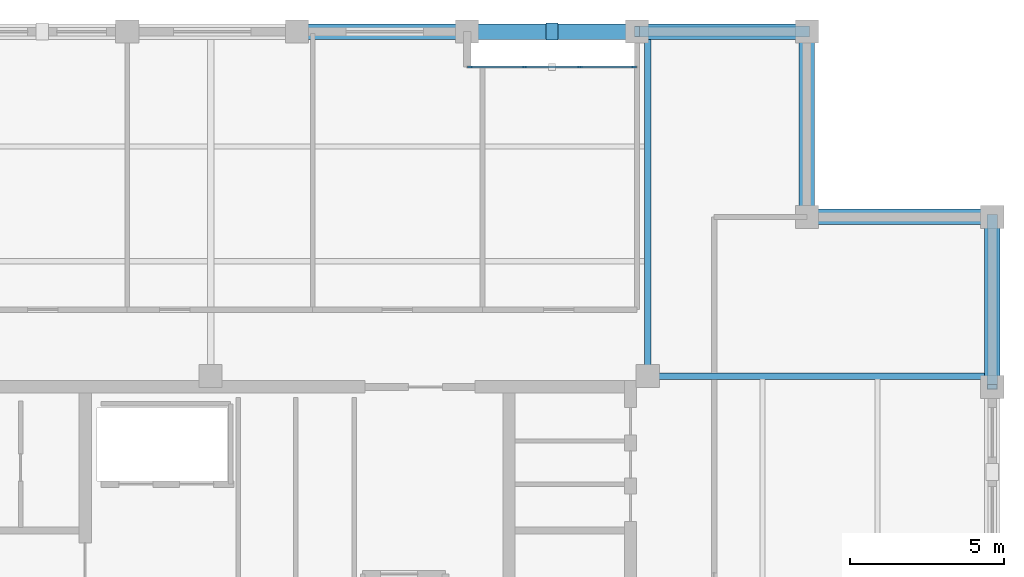
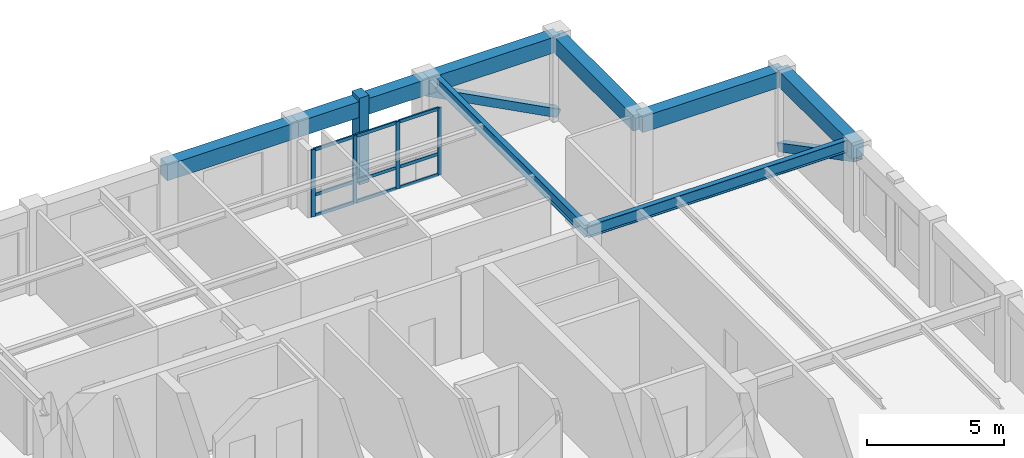
# One storey, part 2 of 10: 16 members, 8 beams, 1 element without a shape of its own.
"""IFC4 building model written with IfcOpenShell, lengths in metres."""

import ifcopenshell
import ifcopenshell.guid

model = None  # the IFC model being written
_history = None  # IfcOwnerHistory: only IFC2X3 demands one
_inside = {}  # id of a spatial element -> (the spatial element, [elements in it])
_under = {}  # id of a project, library or spatial element -> (it, [spatial elements below it])
_declared = {}  # id of a project -> (the project, [libraries it declares])
_typed = {}  # id of a type object -> (the type object, [elements of that type])
_made_of = {}  # id of a material, layer set ... -> (it, [elements and type objects made of it])


def new_model(schema):
    """Start an empty IFC model of exactly this schema.

    Asked for "IFC4X3", IfcOpenShell would pick the latest addendum, in which some entities
    have other attributes; the version numbers below select the first issue.
    IFC2X3 requires an IfcOwnerHistory on every rooted entity: one is made here for all.
    """
    global model, _history
    if schema == "IFC4X3":
        model = ifcopenshell.file(schema_version=(4, 3, 0, 0))
    else:
        model = ifcopenshell.file(schema=schema)
    _inside.clear()
    _under.clear()
    _declared.clear()
    _typed.clear()
    _made_of.clear()
    _history = None
    if model.schema == "IFC2X3":
        org = make("IfcOrganization", Name="unknown")
        user = make(
            "IfcPersonAndOrganization",
            ThePerson=make("IfcPerson", FamilyName="unknown"),
            TheOrganization=org,
        )
        app = make(
            "IfcApplication",
            ApplicationDeveloper=org,
            Version="unknown",
            ApplicationFullName="unknown",
            ApplicationIdentifier="unknown",
        )
        _history = make(
            "IfcOwnerHistory",
            OwningUser=user,
            OwningApplication=app,
            ChangeAction="ADDED",
            CreationDate=0,
        )
    return model


def make(cls, **values):
    """One entity of the class cls with the attributes given. An attribute that is None is left unset."""
    return model.create_entity(
        cls, **{name: value for name, value in values.items() if value is not None}
    )


def rooted(cls, **values):
    """An entity with a GlobalId (a new one), such as an element, a storey or a relation."""
    return make(cls, GlobalId=ifcopenshell.guid.new(), OwnerHistory=_history, **values)


def si_unit(unit_type, name, prefix=None):
    """IfcSIUnit, for example si_unit("LENGTHUNIT", "METRE", prefix="MILLI")."""
    return make("IfcSIUnit", UnitType=unit_type, Prefix=prefix, Name=name)


def assignment(units):
    """IfcUnitAssignment: the units of a project."""
    return None if units is None else make("IfcUnitAssignment", Units=units)


def point(xyz):
    """IfcCartesianPoint."""
    return None if xyz is None else make("IfcCartesianPoint", Coordinates=xyz)


def direction(xyz):
    """IfcDirection."""
    return None if xyz is None else make("IfcDirection", DirectionRatios=xyz)


def frame(location, z_axis=None, x_axis=None):
    """IfcAxis2Placement3D, a coordinate frame: its origin and axes. An axis left out is left unset."""
    return make(
        "IfcAxis2Placement3D",
        Location=point(location),
        Axis=direction(z_axis),
        RefDirection=direction(x_axis),
    )


def frame_2d(location, x_axis=None):
    """IfcAxis2Placement2D, a coordinate frame in the plane: its origin and x axis."""
    return make(
        "IfcAxis2Placement2D", Location=point(location), RefDirection=direction(x_axis)
    )


def origin():
    """The frame at (0, 0, 0) with its axes left unset."""
    return frame((0.0, 0.0, 0.0))


def origin_2d():
    """The frame at (0, 0) in the plane with its x axis left unset."""
    return frame_2d((0.0, 0.0))


def place(relative_to, where):
    """IfcLocalPlacement: puts the frame where relative to a parent placement (None: the world)."""
    return make(
        "IfcLocalPlacement", PlacementRelTo=relative_to, RelativePlacement=where
    )


def context(
    kind, dimensions, precision=None, world=None, true_north=None, identifier=None
):
    """IfcGeometricRepresentationContext, for example the 3D "Model" context."""
    return make(
        "IfcGeometricRepresentationContext",
        ContextIdentifier=identifier,
        ContextType=kind,
        CoordinateSpaceDimension=dimensions,
        Precision=precision,
        WorldCoordinateSystem=world,
        TrueNorth=true_north,
    )


def subcontext(parent, identifier, kind, view, scale=None):
    """IfcGeometricRepresentationSubContext, for example "Body" below "Model"."""
    return make(
        "IfcGeometricRepresentationSubContext",
        ContextIdentifier=identifier,
        ContextType=kind,
        ParentContext=parent,
        TargetScale=scale,
        TargetView=view,
    )


def project(units=None, contexts=None):
    """IfcProject with its units and contexts."""
    return rooted(
        "IfcProject",
        Name="project",
        RepresentationContexts=contexts,
        UnitsInContext=assignment(units),
    )


def spatial(cls, under=None, at=None, **own):
    """A site, building, storey or space (cls), placed at a placement, below another one or the project."""
    s = rooted(cls, ObjectPlacement=at, **own)
    if under is not None:
        _under.setdefault(under.id(), (under, []))[1].append(s)
    return s


def profile(cls, at=None, kind="AREA", **sizes):
    """A parametric profile (cls). Its sizes go by their IFC names, for example OverallWidth=200.0."""
    return make(cls, ProfileType=kind, Position=at, **sizes)


def rectangle(**sizes):
    """IfcRectangleProfileDef."""
    return profile("IfcRectangleProfileDef", **sizes)


def hollow_rectangle(**sizes):
    """IfcRectangleHollowProfileDef."""
    return profile("IfcRectangleHollowProfileDef", **sizes)


def i_section(**sizes):
    """IfcIShapeProfileDef."""
    return profile("IfcIShapeProfileDef", **sizes)


def extrude(swept, where, along, depth):
    """IfcExtrudedAreaSolid: the profile swept, set in the frame where, extruded along a direction by depth."""
    return make(
        "IfcExtrudedAreaSolid",
        SweptArea=swept,
        Position=where,
        ExtrudedDirection=direction(along),
        Depth=depth,
    )


def shape(context_of_items, identifier, shape_type, items):
    """IfcShapeRepresentation: the items that make up one representation, for example the "Body"."""
    return make(
        "IfcShapeRepresentation",
        ContextOfItems=context_of_items,
        RepresentationIdentifier=identifier,
        RepresentationType=shape_type,
        Items=items,
    )


def material(Name=None, Category=None):
    """IfcMaterial."""
    return make("IfcMaterial", Name=Name, Category=Category)


def layer(
    of_material, thickness, ventilated=None, Name=None, Category=None, Priority=None
):
    """IfcMaterialLayer: one layer of a wall or slab, of a material (None: an air gap)."""
    return make(
        "IfcMaterialLayer",
        Material=of_material,
        LayerThickness=thickness,
        IsVentilated=ventilated,
        Name=Name,
        Category=Category,
        Priority=Priority,
    )


def layer_set(layers, Name=None):
    """IfcMaterialLayerSet."""
    return make("IfcMaterialLayerSet", MaterialLayers=layers, LayerSetName=Name)


def material_profile(
    of_material, cross_section, Name=None, Category=None, Priority=None
):
    """IfcMaterialProfile: a cross section and its material."""
    return make(
        "IfcMaterialProfile",
        Name=Name,
        Material=of_material,
        Profile=cross_section,
        Priority=Priority,
        Category=Category,
    )


def profile_set(profiles, Name=None, composite=None):
    """IfcMaterialProfileSet."""
    return make(
        "IfcMaterialProfileSet",
        Name=Name,
        MaterialProfiles=profiles,
        CompositeProfile=composite,
    )


def made_of(thing, what):
    """Note that an element or type object is made of a material, layer set ...; save() writes the relation."""
    if what is not None:
        _made_of.setdefault(what.id(), (what, []))[1].append(thing)
    return thing


def type_object(cls, material=None, **own):
    """A type object (cls), such as IfcWallType, which elements share."""
    return made_of(rooted(cls, **own), material)


def element(
    cls,
    number,
    at=None,
    inside=None,
    cuts=None,
    type_object=None,
    material=None,
    context=None,
    identifier="Body",
    shape_type=None,
    held_by="IfcProductDefinitionShape",
    body=None,
    shapes=None,
    **own,
):
    """One element of the class cls, such as IfcWall. Its Tag is "e" and its number.

    at: its placement. inside: the storey or other place that contains it. cuts: it is an
    opening in that element (IfcRelVoidsElement). A single representation is given by context,
    identifier, shape_type and body (its items); several are given by shapes. held_by: the class
    of the entity that holds the representations. save() writes the other relations.
    """
    e = rooted(cls, Tag="e%d" % number, ObjectPlacement=at, **own)
    if body is not None:
        shapes = [shape(context, identifier, shape_type, body)]
    if shapes is not None:
        e.Representation = make(held_by, Representations=shapes)
    if inside is not None:
        _inside.setdefault(inside.id(), (inside, []))[1].append(e)
    if cuts is not None:
        rooted(
            "IfcRelVoidsElement", RelatingBuildingElement=cuts, RelatedOpeningElement=e
        )
    if type_object is not None:
        _typed.setdefault(type_object.id(), (type_object, []))[1].append(e)
    return made_of(e, material)


def aggregate(whole, parts):
    """IfcRelAggregates: a whole, such as a stair, and the parts it consists of."""
    return rooted("IfcRelAggregates", RelatingObject=whole, RelatedObjects=parts)


def save(model, path):
    """Write the relations noted so far, then the file.

    IfcRelAggregates (storeys below a building ...), IfcRelContainedInSpatialStructure (elements
    in a storey), IfcRelDefinesByType, IfcRelAssociatesMaterial and IfcRelDeclares: one each for
    every whole, place, type object, material and project.
    """
    for whole, parts in _under.values():
        aggregate(whole, parts)
    for where, things in _inside.values():
        rooted(
            "IfcRelContainedInSpatialStructure",
            RelatedElements=things,
            RelatingStructure=where,
        )
    for kind, things in _typed.values():
        rooted("IfcRelDefinesByType", RelatedObjects=things, RelatingType=kind)
    for what, things in _made_of.values():
        rooted("IfcRelAssociatesMaterial", RelatedObjects=things, RelatingMaterial=what)
    for by, libraries in _declared.values():
        rooted("IfcRelDeclares", RelatingContext=by, RelatedDefinitions=libraries)
    model.write(path)


model = new_model("IFC4")

# Units and contexts
model_context = context("Model", 3, precision=1e-05, world=origin(), true_north=direction((0.0, 1.0)))
body_context = subcontext(model_context, "Body", "Model", "MODEL_VIEW")
ifc_project = project(units=[si_unit("LENGTHUNIT", "METRE"), si_unit("AREAUNIT", "SQUARE_METRE"), si_unit("VOLUMEUNIT", "CUBIC_METRE"), si_unit("PLANEANGLEUNIT", "RADIAN"), si_unit("MASSUNIT", "GRAM", prefix="KILO")], contexts=[model_context])

# Site, building, storey
site_placement = place(None, origin())
site = spatial("IfcSite", under=ifc_project, at=site_placement, CompositionType="ELEMENT")
building_placement = place(site_placement, origin())
building = spatial("IfcBuilding", under=site, at=building_placement, Name="Nhamokura Convention Tower", CompositionType="ELEMENT")
storey_placement = place(building_placement, frame((0.0, 0.0, 277.550048828125)))
storey = spatial("IfcBuildingStorey", under=building, at=storey_placement, Name="L68", CompositionType="ELEMENT", Elevation=277.550048828125)

# Member
ifc_material_1 = material(Name="Bronze-pigmented precast concrete C45/55", Category="concrete")
ifc_material_profile_1 = material_profile(ifc_material_1, rectangle(XDim=0.39990234375, YDim=0.550048828125, at=origin_2d()))
ifc_profile_set_1 = profile_set([ifc_material_profile_1], Name="Bronze-pigmented precast concrete C45/55")
member_type_1 = type_object("IfcMemberType", Name="BronzePilaster_550", PredefinedType="USERDEFINED", material=ifc_profile_set_1)
member_1_placement = place(storey_placement, frame((40.25, 54.5, 0.0), z_axis=(0.0, 0.0, 1.0), x_axis=(1.0, 0.0, 0.0)))
element("IfcMember", 1, at=member_1_placement, inside=storey, type_object=member_type_1, Name="L68 Engaged Frame Pilaster NORTH 4", ObjectType="PILASTER_TRIM", PredefinedType="USERDEFINED", context=body_context, shape_type="SweptSolid", body=[
    extrude(rectangle(XDim=0.39990234375, YDim=0.550048828125, at=origin_2d()), origin(), (0.0, 0.0, 1.0), 3.849853515625),
])

# Curtain wall, members
ifc_material_2 = material(Name="Anodised bronze aluminium AA6063-T6", Category="aluminium")
ifc_layer = layer(ifc_material_2, 0.155029296875)
ifc_layer_set = layer_set([ifc_layer], Name="CWSystem_ScaleSlot_Zone3")
curtain_wall_type = type_object("IfcCurtainWallType", Name="CWSystem_ScaleSlot_Zone3", PredefinedType="NOTDEFINED", material=ifc_layer_set)
curtain_wall_placement = place(storey_placement, origin())
curtain_wall = element("IfcCurtainWall", 2, at=curtain_wall_placement, inside=storey, type_object=curtain_wall_type, Name="L68 Curtain Wall ENV-L68-SLOT-N4", PredefinedType="NOTDEFINED")
ifc_material_3 = material(Name="Anodised bronze aluminium AA6063-T6", Category="aluminium")
ifc_material_profile_2 = material_profile(ifc_material_3, rectangle(XDim=0.06494140625, YDim=0.1650390625, at=origin_2d()))
ifc_profile_set_2 = profile_set([ifc_material_profile_2], Name="Anodised bronze aluminium AA6063-T6")
member_type_2 = type_object("IfcMemberType", Name="CWMullion_3", PredefinedType="MULLION", material=ifc_profile_set_2)
member_2_placement = place(storey_placement, frame((37.592529296875, 53.35009765625, 0.0), z_axis=(0.0, 0.0, 1.0), x_axis=(0.0, 1.0, 0.0)))
member_2 = element("IfcMember", 3, at=member_2_placement, type_object=member_type_2, Name="CW-05 mullion 1", PredefinedType="MULLION", context=body_context, shape_type="SweptSolid", body=[
    extrude(rectangle(XDim=0.06494140625, YDim=0.1650390625, at=origin_2d()), origin(), (0.0, 0.0, 1.0), 2.98486328125),
])
member_3_placement = place(storey_placement, frame((39.353271484375, 53.35009765625, 0.0), z_axis=(0.0, 0.0, 1.0), x_axis=(0.0, 1.0, 0.0)))
member_3 = element("IfcMember", 4, at=member_3_placement, type_object=member_type_2, Name="CW-05 mullion 2", PredefinedType="MULLION", context=body_context, shape_type="SweptSolid", body=[
    extrude(rectangle(XDim=0.06494140625, YDim=0.1650390625, at=origin_2d()), origin(), (0.0, 0.0, 1.0), 2.98486328125),
])
member_4_placement = place(storey_placement, frame((41.146728515625, 53.35009765625, 0.0), z_axis=(0.0, 0.0, 1.0), x_axis=(0.0, 1.0, 0.0)))
member_4 = element("IfcMember", 5, at=member_4_placement, type_object=member_type_2, Name="CW-05 mullion 3", PredefinedType="MULLION", context=body_context, shape_type="SweptSolid", body=[
    extrude(rectangle(XDim=0.06494140625, YDim=0.1650390625, at=origin_2d()), origin(), (0.0, 0.0, 1.0), 2.98486328125),
])
member_5_placement = place(storey_placement, frame((42.907470703125, 53.35009765625, 0.0), z_axis=(0.0, 0.0, 1.0), x_axis=(0.0, 1.0, 0.0)))
member_5 = element("IfcMember", 6, at=member_5_placement, type_object=member_type_2, Name="CW-05 mullion 4", PredefinedType="MULLION", context=body_context, shape_type="SweptSolid", body=[
    extrude(rectangle(XDim=0.06494140625, YDim=0.1650390625, at=origin_2d()), origin(), (0.0, 0.0, 1.0), 2.98486328125),
])
ifc_material_4 = material(Name="Anodised bronze aluminium AA6063-T6", Category="aluminium")
ifc_material_profile_3 = material_profile(ifc_material_4, rectangle(XDim=0.06494140625, YDim=0.139892578125, at=origin_2d()))
ifc_profile_set_3 = profile_set([ifc_material_profile_3], Name="Anodised bronze aluminium AA6063-T6")
member_type_3 = type_object("IfcMemberType", Name="CWTransom_3", PredefinedType="USERDEFINED", material=ifc_profile_set_3)
member_6_placement = place(storey_placement, frame((37.625, 53.35009765625, 0.032470703125), z_axis=(1.0, 0.0, 0.0), x_axis=(0.0, 1.0, 0.0)))
member_6 = element("IfcMember", 7, at=member_6_placement, type_object=member_type_3, Name="CW-05 transom 1.1", ObjectType="TRANSOM", PredefinedType="USERDEFINED", context=body_context, shape_type="SweptSolid", body=[
    extrude(rectangle(XDim=0.06494140625, YDim=0.139892578125, at=origin_2d()), origin(), (0.0, 0.0, 1.0), 1.69580078125),
])
member_7_placement = place(storey_placement, frame((37.625, 53.35009765625, 0.949951171875), z_axis=(1.0, 0.0, 0.0), x_axis=(0.0, 1.0, 0.0)))
member_7 = element("IfcMember", 8, at=member_7_placement, type_object=member_type_3, Name="CW-05 transom 1.2", ObjectType="TRANSOM", PredefinedType="USERDEFINED", context=body_context, shape_type="SweptSolid", body=[
    extrude(rectangle(XDim=0.06494140625, YDim=0.139892578125, at=origin_2d()), origin(), (0.0, 0.0, 1.0), 1.69580078125),
])
member_8_placement = place(storey_placement, frame((37.625, 53.35009765625, 2.952392578125), z_axis=(1.0, 0.0, 0.0), x_axis=(0.0, 1.0, 0.0)))
member_8 = element("IfcMember", 9, at=member_8_placement, type_object=member_type_3, Name="CW-05 transom 1.3", ObjectType="TRANSOM", PredefinedType="USERDEFINED", context=body_context, shape_type="SweptSolid", body=[
    extrude(rectangle(XDim=0.06494140625, YDim=0.139892578125, at=origin_2d()), origin(), (0.0, 0.0, 1.0), 1.69580078125),
])
member_9_placement = place(storey_placement, frame((39.3857421875, 53.35009765625, 0.032470703125), z_axis=(1.0, 0.0, 0.0), x_axis=(0.0, 1.0, 0.0)))
member_9 = element("IfcMember", 10, at=member_9_placement, type_object=member_type_3, Name="CW-05 transom 2.1", ObjectType="TRANSOM", PredefinedType="USERDEFINED", context=body_context, shape_type="SweptSolid", body=[
    extrude(rectangle(XDim=0.06494140625, YDim=0.139892578125, at=origin_2d()), origin(), (0.0, 0.0, 1.0), 1.728515625),
])
member_10_placement = place(storey_placement, frame((39.3857421875, 53.35009765625, 0.949951171875), z_axis=(1.0, 0.0, 0.0), x_axis=(0.0, 1.0, 0.0)))
member_10 = element("IfcMember", 11, at=member_10_placement, type_object=member_type_3, Name="CW-05 transom 2.2", ObjectType="TRANSOM", PredefinedType="USERDEFINED", context=body_context, shape_type="SweptSolid", body=[
    extrude(rectangle(XDim=0.06494140625, YDim=0.139892578125, at=origin_2d()), origin(), (0.0, 0.0, 1.0), 1.728515625),
])
member_11_placement = place(storey_placement, frame((39.3857421875, 53.35009765625, 2.952392578125), z_axis=(1.0, 0.0, 0.0), x_axis=(0.0, 1.0, 0.0)))
member_11 = element("IfcMember", 12, at=member_11_placement, type_object=member_type_3, Name="CW-05 transom 2.3", ObjectType="TRANSOM", PredefinedType="USERDEFINED", context=body_context, shape_type="SweptSolid", body=[
    extrude(rectangle(XDim=0.06494140625, YDim=0.139892578125, at=origin_2d()), origin(), (0.0, 0.0, 1.0), 1.728515625),
])
member_12_placement = place(storey_placement, frame((41.17919921875, 53.35009765625, 0.032470703125), z_axis=(1.0, 0.0, 0.0), x_axis=(0.0, 1.0, 0.0)))
member_12 = element("IfcMember", 13, at=member_12_placement, type_object=member_type_3, Name="CW-05 transom 3.1", ObjectType="TRANSOM", PredefinedType="USERDEFINED", context=body_context, shape_type="SweptSolid", body=[
    extrude(rectangle(XDim=0.06494140625, YDim=0.139892578125, at=origin_2d()), origin(), (0.0, 0.0, 1.0), 1.69580078125),
])
member_13_placement = place(storey_placement, frame((41.17919921875, 53.35009765625, 0.949951171875), z_axis=(1.0, 0.0, 0.0), x_axis=(0.0, 1.0, 0.0)))
member_13 = element("IfcMember", 14, at=member_13_placement, type_object=member_type_3, Name="CW-05 transom 3.2", ObjectType="TRANSOM", PredefinedType="USERDEFINED", context=body_context, shape_type="SweptSolid", body=[
    extrude(rectangle(XDim=0.06494140625, YDim=0.139892578125, at=origin_2d()), origin(), (0.0, 0.0, 1.0), 1.69580078125),
])
member_14_placement = place(storey_placement, frame((41.17919921875, 53.35009765625, 2.952392578125), z_axis=(1.0, 0.0, 0.0), x_axis=(0.0, 1.0, 0.0)))
member_14 = element("IfcMember", 15, at=member_14_placement, type_object=member_type_3, Name="CW-05 transom 3.3", ObjectType="TRANSOM", PredefinedType="USERDEFINED", context=body_context, shape_type="SweptSolid", body=[
    extrude(rectangle(XDim=0.06494140625, YDim=0.139892578125, at=origin_2d()), origin(), (0.0, 0.0, 1.0), 1.69580078125),
])
aggregate(curtain_wall, [member_2, member_3, member_4, member_5, member_6, member_7, member_8, member_9, member_10, member_11, member_12, member_13, member_14])

# Beams
ifc_material_5 = material(Name="Steel ASTM A992 Gr 50", Category="steel")
ifc_material_profile_4 = material_profile(ifc_material_5, i_section(OverallWidth=0.208984375, OverallDepth=0.532958984375, WebThickness=0.01025390625, FlangeThickness=0.015625, at=origin_2d()))
ifc_profile_set_4 = profile_set([ifc_material_profile_4], Name="Steel ASTM A992 Gr 50")
beam_type_1 = type_object("IfcBeamType", Name="PrimaryGirder_W530X92", PredefinedType="BEAM", material=ifc_profile_set_4)
for number, where, z_axis, x_axis, name in (
    (16, (43.35009765625, 43.35009765625, 3.41845703125), (0.0, 1.0, 0.0), (-1.0, 0.0, 0.0), "L68 Primary Floor Girder PG-N3"),
    (17, (43.35009765625, 43.35009765625, 3.41845703125), (1.0, 0.0, 0.0), (0.0, 1.0, 0.0), "L68 Primary Floor Girder PG-E3"),
):
    element("IfcBeam", number, at=place(storey_placement, frame(where, z_axis=z_axis, x_axis=x_axis)), inside=storey, type_object=beam_type_1, Name=name, PredefinedType="BEAM", context=body_context, shape_type="SweptSolid", body=[
        extrude(i_section(OverallWidth=0.208984375, OverallDepth=0.532958984375, WebThickness=0.01025390625, FlangeThickness=0.015625, at=origin_2d()), origin(), (0.0, 0.0, 1.0), 11.14990234375),
    ])

# Members
ifc_material_6 = material(Name="Steel ASTM A572 Gr 50", Category="steel")
ifc_material_profile_5 = material_profile(ifc_material_6, hollow_rectangle(XDim=0.35009765625, YDim=0.35009765625, WallThickness=0.01611328125, at=origin_2d()))
ifc_profile_set_5 = profile_set([ifc_material_profile_5], Name="Steel ASTM A572 Gr 50")
member_type_4 = type_object("IfcMemberType", Name="TubeBrace_HSS350", PredefinedType="BRACE", material=ifc_profile_set_5)
for number, where, z_axis, x_axis, name in (
    (18, (48.5, 54.5, 0.14990234375), (-0.885562865764, 0.0, 0.464519548328), (0.0, -1.0, 0.0), "L68 Perimeter Tube Brace NORTH Bay 5"),
    (19, (54.5, 48.5, 0.14990234375), (0.0, -0.885562865764, 0.464519548328), (1.0, 0.0, 0.0), "L68 Perimeter Tube Brace EAST Bay 5"),
):
    element("IfcMember", number, at=place(storey_placement, frame(where, z_axis=z_axis, x_axis=x_axis)), inside=storey, type_object=member_type_4, Name=name, PredefinedType="BRACE", context=body_context, shape_type="SweptSolid", body=[
        extrude(hollow_rectangle(XDim=0.35009765625, YDim=0.35009765625, WallThickness=0.01611328125, at=origin_2d()), origin(), (0.0, 0.0, 1.0), 6.210693359375),
    ])

# Beams
ifc_material_7 = material(Name="Concrete C50/60", Category="concrete")
ifc_material_profile_6 = material_profile(ifc_material_7, rectangle(XDim=0.5, YDim=0.699951171875, at=origin_2d()))
ifc_profile_set_6 = profile_set([ifc_material_profile_6], Name="Concrete C50/60")
beam_type_2 = type_object("IfcBeamType", Name="TubeSpandrel_700", PredefinedType="SPANDREL", material=ifc_profile_set_6)
for number, where, z_axis, x_axis, name in (
    (20, (32.0, 54.5, 3.3349609375), (1.0, 0.0, 0.0), (0.0, 1.0, 0.0), "L68 Perimeter Spandrel NORTH 4"),
    (21, (37.5, 54.5, 3.3349609375), (1.0, 0.0, 0.0), (0.0, 1.0, 0.0), "L68 Perimeter Spandrel NORTH 5"),
    (22, (43.0, 54.5, 3.3349609375), (1.0, 0.0, 0.0), (0.0, 1.0, 0.0), "L68 Perimeter Spandrel NORTH 6"),
    (23, (54.5, 43.0, 3.3349609375), (0.0, 1.0, 0.0), (-1.0, 0.0, 0.0), "L68 Perimeter Spandrel EAST 6"),
):
    element("IfcBeam", number, at=place(storey_placement, frame(where, z_axis=z_axis, x_axis=x_axis)), inside=storey, type_object=beam_type_2, Name=name, PredefinedType="SPANDREL", context=body_context, shape_type="SweptSolid", body=[
        extrude(rectangle(XDim=0.5, YDim=0.699951171875, at=origin_2d()), origin(), (0.0, 0.0, 1.0), 5.5),
    ])
for number, where, z_axis, x_axis, name in (
    (24, (54.5, 48.5, 3.3349609375), (-1.0, 0.0, 0.0), (0.0, -1.0, 0.0), "L68 Notch Spandrel NE1"),
    (25, (48.5, 48.5, 3.3349609375), (0.0, 1.0, 0.0), (-1.0, 0.0, 0.0), "L68 Notch Spandrel NE2"),
):
    element("IfcBeam", number, at=place(storey_placement, frame(where, z_axis=z_axis, x_axis=x_axis)), inside=storey, type_object=beam_type_2, Name=name, PredefinedType="SPANDREL", context=body_context, shape_type="SweptSolid", body=[
        extrude(rectangle(XDim=0.5, YDim=0.699951171875, at=origin_2d()), origin(), (0.0, 0.0, 1.0), 6.0),
    ])

save(model, "model.ifc")
